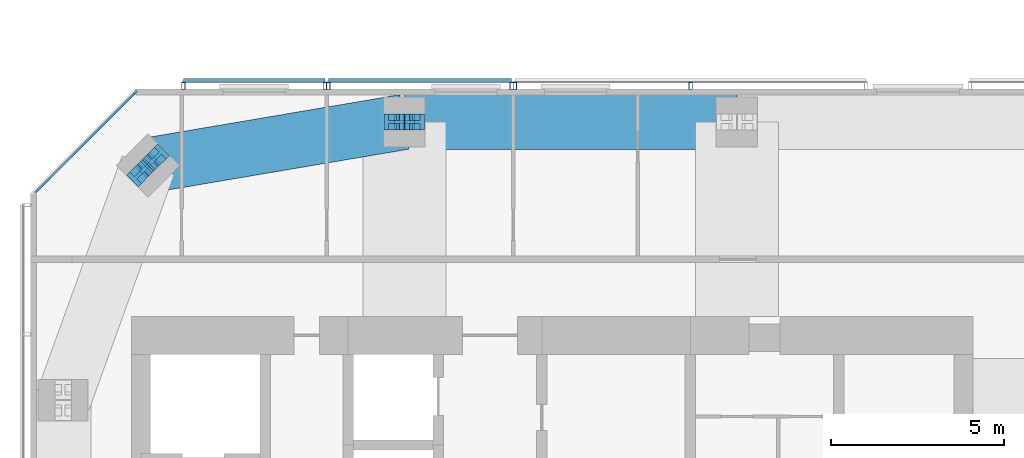
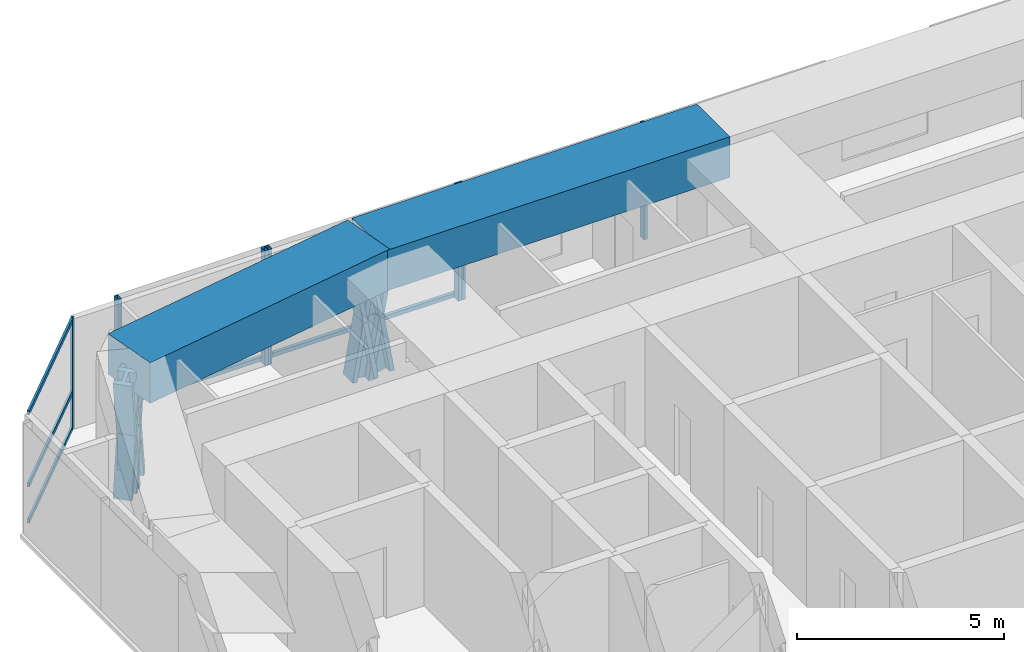
# One storey, part 9 of 18: 20 members, 2 beams, 4 elements without a shape of their own.
"""IFC4 building model written with IfcOpenShell, lengths in metres."""

from ifc_helpers import new_model, si_unit, direction, frame, origin, origin_2d, place, context, subcontext, project, spatial, rectangle, hollow_rectangle, i_section, extrude, material, material_profile, profile_set, type_object, element, aggregate, save


model = new_model("IFC4")

# Units and contexts
model_context = context("Model", 3, precision=1e-05, world=origin(), true_north=direction((0.0, 1.0)))
body_context = subcontext(model_context, "Body", "Model", "MODEL_VIEW")
ifc_project = project(units=[si_unit("LENGTHUNIT", "METRE"), si_unit("AREAUNIT", "SQUARE_METRE"), si_unit("VOLUMEUNIT", "CUBIC_METRE"), si_unit("PLANEANGLEUNIT", "RADIAN"), si_unit("MASSUNIT", "GRAM", prefix="KILO")], contexts=[model_context])

# Site, building, storey
site_placement = place(None, origin())
site = spatial("IfcSite", under=ifc_project, at=site_placement, CompositionType="ELEMENT")
building_placement = place(site_placement, origin())
building = spatial("IfcBuilding", under=site, at=building_placement, Name="Jalousie Tower", CompositionType="ELEMENT")
storey_placement = place(building_placement, frame((0.0, 0.0, 249.449951171875)))
storey = spatial("IfcBuildingStorey", under=building, at=storey_placement, Name="L68", CompositionType="ELEMENT", Elevation=249.449951171875)

# Curtain wall, members
ifc_material_1 = material(Name="Aluminium curtain wall", Category="aluminium")
curtain_wall_type_1 = type_object("IfcCurtainWallType", Name="CORNER WINDOW WALL", PredefinedType="USERDEFINED", material=ifc_material_1)
curtain_wall_1_placement = place(storey_placement, origin())
curtain_wall_1 = element("IfcCurtainWall", 1, at=curtain_wall_1_placement, inside=storey, type_object=curtain_wall_type_1, Name="Corner Window Wall L68 6", ObjectType="CORNER WINDOW WALL", PredefinedType="USERDEFINED")
ifc_material_2 = material(Name="Aluminium mullion", Category="aluminium")
ifc_material_profile_1 = material_profile(ifc_material_2, rectangle(XDim=0.06005859375, YDim=0.14990234375, at=origin_2d()), Name="MULLION 60x150")
ifc_profile_set_1 = profile_set([ifc_material_profile_1], Name="Aluminium mullion")
member_type_1 = type_object("IfcMemberType", Name="CORNER WINDOW WALL MULLION", PredefinedType="MULLION", material=ifc_profile_set_1)
member_1_placement = place(storey_placement, frame((19.830078125, 33.891357421875, 0.0), z_axis=(0.0, 0.0, 1.0), x_axis=(0.707106781187, -0.707106781187, 0.0)))
member_1 = element("IfcMember", 2, at=member_1_placement, type_object=member_type_1, Name="CW-C mullion 1", PredefinedType="MULLION", context=body_context, shape_type="SweptSolid", body=[
    extrude(rectangle(XDim=0.06005859375, YDim=0.14990234375, at=origin_2d()), origin(), (0.0, 0.0, 1.0), 3.260009765625),
])
ifc_material_3 = material(Name="Aluminium transom", Category="aluminium")
ifc_material_profile_2 = material_profile(ifc_material_3, rectangle(XDim=0.06005859375, YDim=0.1201171875, at=origin_2d()), Name="TRANSOM 60x120")
ifc_profile_set_2 = profile_set([ifc_material_profile_2], Name="Aluminium transom")
member_type_2 = type_object("IfcMemberType", Name="CORNER WINDOW WALL TRANSOM", PredefinedType="USERDEFINED", material=ifc_profile_set_2)
member_2_placement = place(storey_placement, frame((19.808837890625, 33.8701171875, 0.030029296875), z_axis=(-0.707106781187, -0.707106781187, 0.0), x_axis=(0.707106781187, -0.707106781187, 0.0)))
member_2 = element("IfcMember", 3, at=member_2_placement, type_object=member_type_2, Name="CW-C transom 1.1", ObjectType="TRANSOM", PredefinedType="USERDEFINED", context=body_context, shape_type="SweptSolid", body=[
    extrude(rectangle(XDim=0.06005859375, YDim=0.1201171875, at=origin_2d()), origin(), (0.0, 0.0, 1.0), 4.0712890625),
])
member_3_placement = place(storey_placement, frame((19.808837890625, 33.8701171875, 1.10009765625), z_axis=(-0.707106781187, -0.707106781187, 0.0), x_axis=(0.707106781187, -0.707106781187, 0.0)))
member_3 = element("IfcMember", 4, at=member_3_placement, type_object=member_type_2, Name="CW-C transom 1.2", ObjectType="TRANSOM", PredefinedType="USERDEFINED", context=body_context, shape_type="SweptSolid", body=[
    extrude(rectangle(XDim=0.06005859375, YDim=0.1201171875, at=origin_2d()), origin(), (0.0, 0.0, 1.0), 4.0712890625),
])
member_4_placement = place(storey_placement, frame((19.808837890625, 33.8701171875, 3.22998046875), z_axis=(-0.707106781187, -0.707106781187, 0.0), x_axis=(0.707106781187, -0.707106781187, 0.0)))
member_4 = element("IfcMember", 5, at=member_4_placement, type_object=member_type_2, Name="CW-C transom 1.3", ObjectType="TRANSOM", PredefinedType="USERDEFINED", context=body_context, shape_type="SweptSolid", body=[
    extrude(rectangle(XDim=0.06005859375, YDim=0.1201171875, at=origin_2d()), origin(), (0.0, 0.0, 1.0), 4.0712890625),
])
aggregate(curtain_wall_1, [member_1, member_2, member_3, member_4])

# Members
ifc_material_4 = material(Name="Steel ASTM A992 Grade 50", Category="steel")
ifc_material_profile_3 = material_profile(ifc_material_4, i_section(OverallWidth=0.472412109375, OverallDepth=0.5791015625, WebThickness=0.094970703125, FlangeThickness=0.1298828125, at=origin_2d()), Name="W14X808")
ifc_profile_set_3 = profile_set([ifc_material_profile_3], Name="Steel ASTM A992 Grade 50")
member_type_3 = type_object("IfcMemberType", Name="PERIMETER BRACE W14X808", PredefinedType="BRACE", material=ifc_profile_set_3)
for number, where, z_axis, x_axis, name in (
    (6, (27.324951171875, 33.050048828125, -0.599853515625), (0.168990530437, 0.0, 0.98561767467), (0.0, 1.0, 0.0), "Perimeter brace 11 L68 part 1"),
    (7, (27.625, 33.050048828125, 1.150146484375), (0.168990530437, 0.0, 0.98561767467), (0.0, 1.0, 0.0), "Perimeter brace 11 L68 part 2"),
    (8, (27.925048828125, 33.050048828125, -0.599853515625), (-0.168990530437, 0.0, 0.98561767467), (0.0, -1.0, 0.0), "Perimeter brace 11 L68 part 3"),
    (9, (27.625, 33.050048828125, 1.150146484375), (-0.168990530437, 0.0, 0.98561767467), (0.0, -1.0, 0.0), "Perimeter brace 11 L68 part 4"),
):
    element("IfcMember", number, at=place(storey_placement, frame(where, z_axis=z_axis, x_axis=x_axis)), inside=storey, type_object=member_type_3, Name=name, PredefinedType="BRACE", context=body_context, shape_type="SweptSolid", body=[
        extrude(i_section(OverallWidth=0.472412109375, OverallDepth=0.5791015625, WebThickness=0.094970703125, FlangeThickness=0.1298828125, at=origin_2d()), origin(), (0.0, 0.0, 1.0), 1.775634765625),
    ])
for number, where, z_axis, x_axis, name in (
    (10, (20.45458984375, 32.040283203125, -0.599853515625), (-0.138716051522, -0.138579250682, 0.980588419435), (0.706757851183, -0.707455539091, 0.0), "Perimeter brace 12 L68 part 1"),
    (11, (20.20703125, 31.79296875, 1.150146484375), (-0.138579250682, -0.138716051522, 0.980588419435), (0.707455539091, -0.706757851183, 0.0), "Perimeter brace 12 L68 part 2"),
    (12, (19.959716796875, 31.54541015625, -0.599853515625), (0.138579250682, 0.138716051522, 0.980588419435), (-0.707455539091, 0.706757851183, 0.0), "Perimeter brace 12 L68 part 3"),
    (13, (20.20703125, 31.79296875, 1.150146484375), (0.138716051522, 0.138579250682, 0.980588419435), (-0.706757851183, 0.707455539091, 0.0), "Perimeter brace 12 L68 part 4"),
):
    element("IfcMember", number, at=place(storey_placement, frame(where, z_axis=z_axis, x_axis=x_axis)), inside=storey, type_object=member_type_3, Name=name, PredefinedType="BRACE", context=body_context, shape_type="SweptSolid", body=[
        extrude(i_section(OverallWidth=0.472412109375, OverallDepth=0.5791015625, WebThickness=0.094970703125, FlangeThickness=0.1298828125, at=origin_2d()), origin(), (0.0, 0.0, 1.0), 1.78466796875),
    ])

# Beams
ifc_material_5 = material(Name="Concrete f'c 40 MPa", Category="concrete")
ifc_material_profile_4 = material_profile(ifc_material_5, rectangle(XDim=1.60009765625, YDim=1.199951171875, at=origin_2d()), Name="RC 1600x1200")
ifc_profile_set_4 = profile_set([ifc_material_profile_4], Name="Concrete f'c 40 MPa")
beam_type = type_object("IfcBeamType", Name="RC BEAM 1600x1200", PredefinedType="BEAM", material=ifc_profile_set_4)
beam_1_placement = place(storey_placement, frame((37.25, 33.050048828125, 2.900146484375), z_axis=(-1.0, 0.0, 0.0), x_axis=(0.0, -1.0, 0.0)))
element("IfcBeam", 14, at=beam_1_placement, inside=storey, type_object=beam_type, Name="Edge band beam 10-11 under L69", PredefinedType="BEAM", context=body_context, shape_type="SweptSolid", body=[
    extrude(rectangle(XDim=1.60009765625, YDim=1.199951171875, at=origin_2d()), origin(), (0.0, 0.0, 1.0), 9.625),
])
beam_2_placement = place(storey_placement, frame((27.625, 33.050048828125, 2.900146484375), z_axis=(-0.985942997446, -0.167082033105, 0.0), x_axis=(0.167082033105, -0.985942997446, 0.0)))
element("IfcBeam", 15, at=beam_2_placement, inside=storey, type_object=beam_type, Name="Edge band beam 11-12 under L69", PredefinedType="BEAM", context=body_context, shape_type="SweptSolid", body=[
    extrude(rectangle(XDim=1.60009765625, YDim=1.199951171875, at=origin_2d()), origin(), (0.0, 0.0, 1.0), 7.523681640625),
])

# Curtain wall, members
ifc_material_6 = material(Name="Perforated aluminium sheet", Category="aluminium")
curtain_wall_type_2 = type_object("IfcCurtainWallType", Name="SOLAR SCREEN SS-2", PredefinedType="USERDEFINED", material=ifc_material_6)
curtain_wall_2_placement = place(storey_placement, origin())
curtain_wall_2 = element("IfcCurtainWall", 16, at=curtain_wall_2_placement, inside=storey, type_object=curtain_wall_type_2, Name="Solar screen L68", ObjectType="SOLAR SCREEN SS-2", PredefinedType="USERDEFINED")
ifc_material_7 = material(Name="Steel ASTM A500 Grade C", Category="steel")
ifc_material_profile_5 = material_profile(ifc_material_7, hollow_rectangle(XDim=0.1015625, YDim=0.203125, WallThickness=0.0078125, at=origin_2d()), Name="HSS8X4X5/16")
ifc_profile_set_5 = profile_set([ifc_material_profile_5], Name="Steel ASTM A500 Grade C")
member_type_4 = type_object("IfcMemberType", Name="SOLAR SCREEN SS-2 MULLION", PredefinedType="MULLION", material=ifc_profile_set_5)
member_5_placement = place(storey_placement, frame((35.90673828125, 34.0966796875, -0.119873046875), z_axis=(0.0, 0.0, 1.0), x_axis=(-1.0, 0.0, 0.0)))
member_5 = element("IfcMember", 17, at=member_5_placement, type_object=member_type_4, Name="SS2 post 2", PredefinedType="MULLION", context=body_context, shape_type="SweptSolid", body=[
    extrude(hollow_rectangle(XDim=0.1015625, YDim=0.203125, WallThickness=0.0078125, at=origin_2d()), origin(), (0.0, 0.0, 1.0), 3.3798828125),
])
member_6_placement = place(storey_placement, frame((30.824951171875, 34.0966796875, -0.119873046875), z_axis=(0.0, 0.0, 1.0), x_axis=(-1.0, 0.0, 0.0)))
member_6 = element("IfcMember", 18, at=member_6_placement, type_object=member_type_4, Name="SS2 post 3", PredefinedType="MULLION", context=body_context, shape_type="SweptSolid", body=[
    extrude(hollow_rectangle(XDim=0.1015625, YDim=0.203125, WallThickness=0.0078125, at=origin_2d()), origin(), (0.0, 0.0, 1.0), 3.3798828125),
])
aggregate(curtain_wall_2, [member_5, member_6])

curtain_wall_3_placement = place(storey_placement, origin())
curtain_wall_3 = element("IfcCurtainWall", 19, at=curtain_wall_3_placement, inside=storey, type_object=curtain_wall_type_2, Name="Solar screen L68", ObjectType="SOLAR SCREEN SS-2", PredefinedType="USERDEFINED")
member_7_placement = place(storey_placement, frame((30.72509765625, 34.0966796875, -0.119873046875), z_axis=(0.0, 0.0, 1.0), x_axis=(-1.0, 0.0, 0.0)))
member_7 = element("IfcMember", 20, at=member_7_placement, type_object=member_type_4, Name="SS2 post 1", PredefinedType="MULLION", context=body_context, shape_type="SweptSolid", body=[
    extrude(hollow_rectangle(XDim=0.1015625, YDim=0.203125, WallThickness=0.0078125, at=origin_2d()), origin(), (0.0, 0.0, 1.0), 3.3798828125),
])
member_8_placement = place(storey_placement, frame((25.425048828125, 34.0966796875, -0.119873046875), z_axis=(0.0, 0.0, 1.0), x_axis=(-1.0, 0.0, 0.0)))
member_8 = element("IfcMember", 21, at=member_8_placement, type_object=member_type_4, Name="SS2 post 2", PredefinedType="MULLION", context=body_context, shape_type="SweptSolid", body=[
    extrude(hollow_rectangle(XDim=0.1015625, YDim=0.203125, WallThickness=0.0078125, at=origin_2d()), origin(), (0.0, 0.0, 1.0), 3.3798828125),
])

curtain_wall_4_placement = place(storey_placement, origin())
curtain_wall_4 = element("IfcCurtainWall", 22, at=curtain_wall_4_placement, inside=storey, type_object=curtain_wall_type_2, Name="Solar screen L68", ObjectType="SOLAR SCREEN SS-2", PredefinedType="USERDEFINED")
member_9_placement = place(storey_placement, frame((25.324951171875, 34.0966796875, -0.119873046875), z_axis=(0.0, 0.0, 1.0), x_axis=(-1.0, 0.0, 0.0)))
member_9 = element("IfcMember", 23, at=member_9_placement, type_object=member_type_4, Name="SS2 post 1", PredefinedType="MULLION", context=body_context, shape_type="SweptSolid", body=[
    extrude(hollow_rectangle(XDim=0.1015625, YDim=0.203125, WallThickness=0.0078125, at=origin_2d()), origin(), (0.0, 0.0, 1.0), 3.3798828125),
])
member_10_placement = place(storey_placement, frame((21.226318359375, 34.0966796875, -0.119873046875), z_axis=(0.0, 0.0, 1.0), x_axis=(-1.0, 0.0, 0.0)))
member_10 = element("IfcMember", 24, at=member_10_placement, type_object=member_type_4, Name="SS2 post 2", PredefinedType="MULLION", context=body_context, shape_type="SweptSolid", body=[
    extrude(hollow_rectangle(XDim=0.1015625, YDim=0.203125, WallThickness=0.0078125, at=origin_2d()), origin(), (0.0, 0.0, 1.0), 3.3798828125),
])

# Member
ifc_material_8 = material(Name="Extruded aluminium screen rail", Category="aluminium")
ifc_material_profile_6 = material_profile(ifc_material_8, rectangle(XDim=0.1015625, YDim=0.1201171875, at=origin_2d()), Name="RAIL 102x120")
ifc_profile_set_6 = profile_set([ifc_material_profile_6], Name="Extruded aluminium screen rail")
member_type_5 = type_object("IfcMemberType", Name="SOLAR SCREEN SS-2 TRANSOM", PredefinedType="USERDEFINED", material=ifc_profile_set_6)
member_11_placement = place(storey_placement, frame((30.72509765625, 34.2490234375, -0.06005859375), z_axis=(-1.0, 0.0, 0.0), x_axis=(0.0, -1.0, 0.0)))
member_11 = element("IfcMember", 25, at=member_11_placement, type_object=member_type_5, Name="SS2 rail", ObjectType="TRANSOM", PredefinedType="USERDEFINED", context=body_context, shape_type="SweptSolid", body=[
    extrude(rectangle(XDim=0.1015625, YDim=0.1201171875, at=origin_2d()), origin(), (0.0, 0.0, 1.0), 5.300048828125),
])

aggregate(curtain_wall_3, [member_7, member_8, member_11])

member_12_placement = place(storey_placement, frame((25.324951171875, 34.2490234375, -0.06005859375), z_axis=(-1.0, 0.0, 0.0), x_axis=(0.0, -1.0, 0.0)))
member_12 = element("IfcMember", 26, at=member_12_placement, type_object=member_type_5, Name="SS2 rail", ObjectType="TRANSOM", PredefinedType="USERDEFINED", context=body_context, shape_type="SweptSolid", body=[
    extrude(rectangle(XDim=0.1015625, YDim=0.1201171875, at=origin_2d()), origin(), (0.0, 0.0, 1.0), 4.0986328125),
])

aggregate(curtain_wall_4, [member_9, member_10, member_12])

save(model, "model.ifc")
